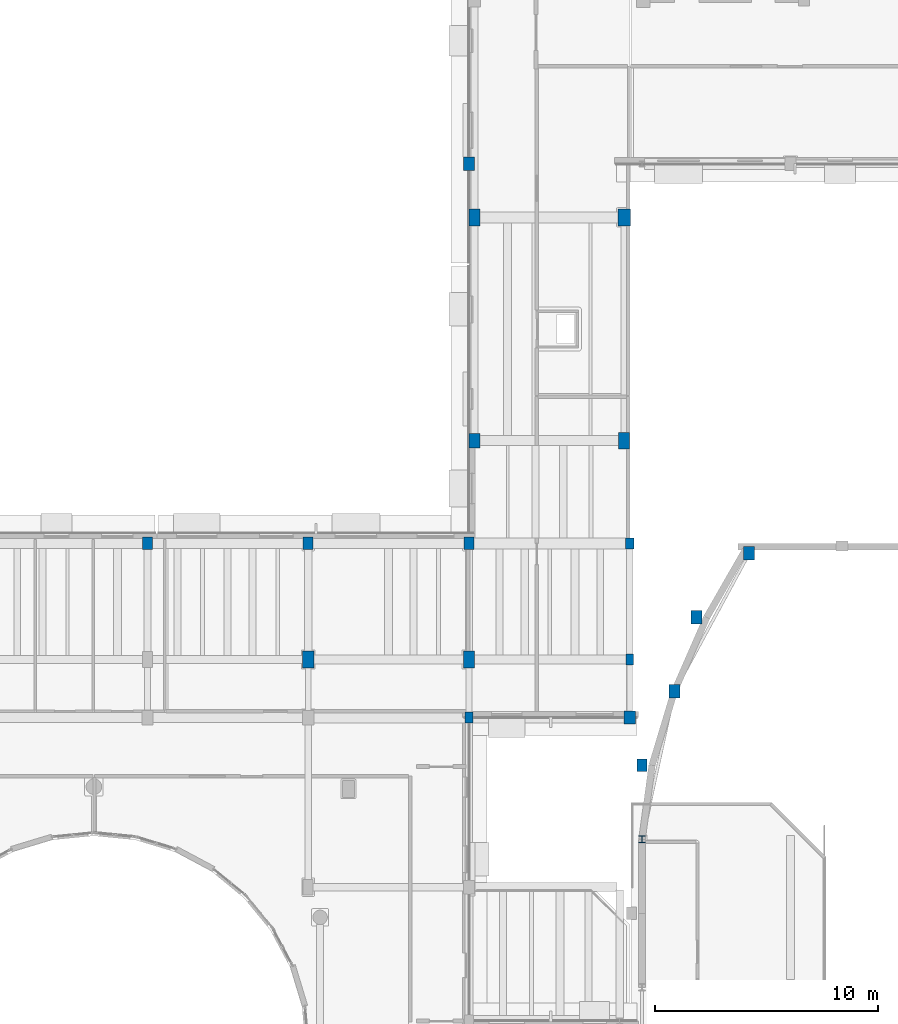
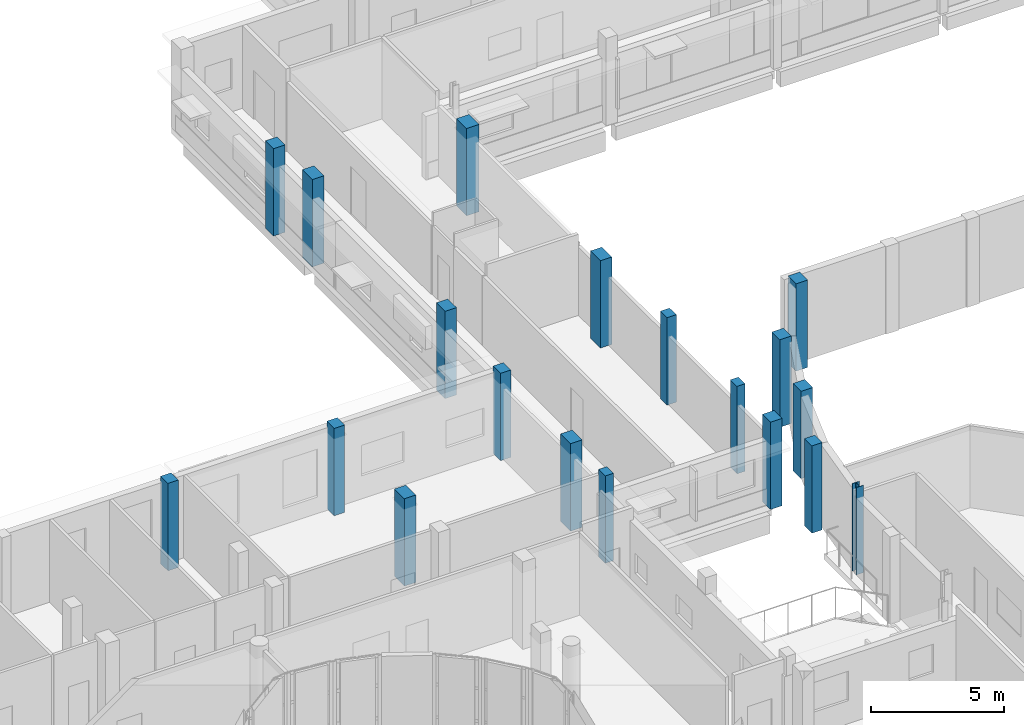
# One storey, part 11 of 92: 19 columns.
"""IFC4 building model written with IfcOpenShell, lengths in metres."""

from ifc_helpers import new_model, si_unit, direction, frame, origin, origin_2d, place, context, subcontext, project, spatial, rectangle, i_section, extrude, material, material_profile, profile_set, type_object, element, save


model = new_model("IFC4")

# Units and contexts
model_context = context("Model", 3, precision=1e-05, world=origin(), true_north=direction((0.0, 1.0)))
body_context = subcontext(model_context, "Body", "Model", "MODEL_VIEW")
ifc_project = project(units=[si_unit("LENGTHUNIT", "METRE"), si_unit("AREAUNIT", "SQUARE_METRE"), si_unit("VOLUMEUNIT", "CUBIC_METRE"), si_unit("PLANEANGLEUNIT", "RADIAN"), si_unit("MASSUNIT", "GRAM", prefix="KILO")], contexts=[model_context])

# Site, building, storey
site_placement = place(None, origin())
site = spatial("IfcSite", under=ifc_project, at=site_placement, CompositionType="ELEMENT")
building_placement = place(site_placement, origin())
building = spatial("IfcBuilding", under=site, at=building_placement, Name="Kelanivale Promenade Academy", CompositionType="ELEMENT")
storey_placement = place(building_placement, frame((0.0, 0.0, 8.199951171875)))
storey = spatial("IfcBuildingStorey", under=building, at=storey_placement, Name="L02", CompositionType="ELEMENT", Elevation=8.199951171875)

# Columns
ifc_material_1 = material(Name="Concrete C40/50", Category="concrete")
ifc_material_profile_1 = material_profile(ifc_material_1, rectangle(XDim=0.5, YDim=0.64990234375, at=origin_2d()), Name="RC-COL 500x650")
ifc_profile_set_1 = profile_set([ifc_material_profile_1], Name="Concrete C40/50")
column_type_1 = type_object("IfcColumnType", Name="C-11 RC-COL 500x650", PredefinedType="COLUMN", material=ifc_profile_set_1)
column_1_placement = place(storey_placement, frame((115.85009765625, 84.0, 0.0), z_axis=(0.0, 0.0, 1.0), x_axis=(1.0, 0.0, 0.0)))
element("IfcColumn", 1, at=column_1_placement, inside=storey, type_object=column_type_1, Name="Column C-11 at (115.8, 84.0) L02", PredefinedType="COLUMN", context=body_context, shape_type="SweptSolid", body=[
    extrude(rectangle(XDim=0.5, YDim=0.64990234375, at=origin_2d()), origin(), (0.0, 0.0, 1.0), 4.0),
])
ifc_material_profile_2 = material_profile(ifc_material_1, rectangle(XDim=0.5, YDim=0.75, at=origin_2d()), Name="RC-COL 500x750")
ifc_profile_set_2 = profile_set([ifc_material_profile_2], Name="Concrete C40/50")
column_type_2 = type_object("IfcColumnType", Name="C-12 RC-COL 500x750", PredefinedType="COLUMN", material=ifc_profile_set_2)
for number, where, z_axis, x_axis, name in (
    (2, (108.39990234375, 74.199951171875, 0.0), (0.0, 0.0, 1.0), (1.0, 0.0, 0.0), "Column C-12 at (108.4, 74.2) L02"),
    (3, (115.60009765625, 74.199951171875, 0.0), (0.0, 0.0, 1.0), (1.0, 0.0, 0.0), "Column C-12 at (115.6, 74.2) L02"),
    (4, (115.85009765625, 94.0, 0.0), (0.0, 0.0, 1.0), (1.0, 0.0, 0.0), "Column C-12 at (115.8, 94.0) L02"),
    (5, (122.550048828125, 84.0, 0.0), (0.0, 0.0, 1.0), (1.0, 0.0, 0.0), "Column C-12 at (122.5, 84.0) L02"),
):
    element("IfcColumn", number, at=place(storey_placement, frame(where, z_axis=z_axis, x_axis=x_axis)), inside=storey, type_object=column_type_2, Name=name, PredefinedType="COLUMN", context=body_context, shape_type="SweptSolid", body=[
        extrude(rectangle(XDim=0.5, YDim=0.75, at=origin_2d()), origin(), (0.0, 0.0, 1.0), 4.0),
    ])
ifc_material_profile_3 = material_profile(ifc_material_1, rectangle(XDim=0.550048828125, YDim=0.75, at=origin_2d()), Name="RC-COL 550x750")
ifc_profile_set_3 = profile_set([ifc_material_profile_3], Name="Concrete C40/50")
column_type_3 = type_object("IfcColumnType", Name="C-13 RC-COL 550x750", PredefinedType="COLUMN", material=ifc_profile_set_3)
column_2_placement = place(storey_placement, frame((122.550048828125, 94.0, 0.0), z_axis=(0.0, 0.0, 1.0), x_axis=(1.0, 0.0, 0.0)))
element("IfcColumn", 6, at=column_2_placement, inside=storey, type_object=column_type_3, Name="Column C-13 at (122.5, 94.0) L02", PredefinedType="COLUMN", context=body_context, shape_type="SweptSolid", body=[
    extrude(rectangle(XDim=0.550048828125, YDim=0.75, at=origin_2d()), origin(), (0.0, 0.0, 1.0), 4.0),
])
ifc_material_profile_4 = material_profile(ifc_material_1, rectangle(XDim=0.35009765625, YDim=0.5, at=origin_2d()), Name="RC-PIL 350x500")
ifc_profile_set_4 = profile_set([ifc_material_profile_4], Name="Concrete C40/50")
column_type_4 = type_object("IfcColumnType", Name="PL-15 RC-PIL 350x500", PredefinedType="PILASTER", material=ifc_profile_set_4)
for number, where, z_axis, x_axis, name in (
    (7, (115.60009765625, 71.60009765625, 0.0), (0.0, 0.0, 1.0), (1.0, 0.0, 0.0), "Column PL-15 at (115.6, 71.6) L02"),
    (8, (122.800048828125, 74.199951171875, 0.0), (0.0, 0.0, 1.0), (1.0, 0.0, 0.0), "Column PL-15 at (122.8, 74.2) L02"),
):
    element("IfcColumn", number, at=place(storey_placement, frame(where, z_axis=z_axis, x_axis=x_axis)), inside=storey, type_object=column_type_4, Name=name, PredefinedType="PILASTER", context=body_context, shape_type="SweptSolid", body=[
        extrude(rectangle(XDim=0.35009765625, YDim=0.5, at=origin_2d()), origin(), (0.0, 0.0, 1.0), 4.0),
    ])
ifc_material_profile_5 = material_profile(ifc_material_1, rectangle(XDim=0.39990234375, YDim=0.5, at=origin_2d()), Name="RC-PIL 400x500")
ifc_profile_set_5 = profile_set([ifc_material_profile_5], Name="Concrete C40/50")
column_type_5 = type_object("IfcColumnType", Name="PL-16 RC-PIL 400x500", PredefinedType="PILASTER", material=ifc_profile_set_5)
column_3_placement = place(storey_placement, frame((122.800048828125, 79.39990234375, 0.0), z_axis=(0.0, 0.0, 1.0), x_axis=(1.0, 0.0, 0.0)))
element("IfcColumn", 9, at=column_3_placement, inside=storey, type_object=column_type_5, Name="Column PL-16 at (122.8, 79.4) L02", PredefinedType="PILASTER", context=body_context, shape_type="SweptSolid", body=[
    extrude(rectangle(XDim=0.39990234375, YDim=0.5, at=origin_2d()), origin(), (0.0, 0.0, 1.0), 4.0),
])
ifc_material_profile_6 = material_profile(ifc_material_1, rectangle(XDim=0.449951171875, YDim=0.550048828125, at=origin_2d()), Name="RC-PIL 450x550")
ifc_profile_set_6 = profile_set([ifc_material_profile_6], Name="Concrete C40/50")
column_type_6 = type_object("IfcColumnType", Name="PL-17 RC-PIL 450x550", PredefinedType="PILASTER", material=ifc_profile_set_6)
for number, where, z_axis, x_axis, name in (
    (10, (101.199951171875, 79.39990234375, 0.0), (0.0, 0.0, 1.0), (1.0, 0.0, 0.0), "Column PL-17 at (101.2, 79.4) L02"),
    (11, (108.39990234375, 79.39990234375, 0.0), (0.0, 0.0, 1.0), (1.0, 0.0, 0.0), "Column PL-17 at (108.4, 79.4) L02"),
    (12, (115.60009765625, 79.39990234375, 0.0), (0.0, 0.0, 1.0), (1.0, 0.0, 0.0), "Column PL-17 at (115.6, 79.4) L02"),
    (13, (123.340087890625, 69.45703125, 0.0), (0.0, 0.0, 1.0), (1.0, 0.0, 0.0), "Column PL-17 at (123.3, 69.5) L02"),
):
    element("IfcColumn", number, at=place(storey_placement, frame(where, z_axis=z_axis, x_axis=x_axis)), inside=storey, type_object=column_type_6, Name=name, PredefinedType="PILASTER", context=body_context, shape_type="SweptSolid", body=[
        extrude(rectangle(XDim=0.449951171875, YDim=0.550048828125, at=origin_2d()), origin(), (0.0, 0.0, 1.0), 4.0),
    ])
ifc_material_profile_7 = material_profile(ifc_material_1, rectangle(XDim=0.5, YDim=0.60009765625, at=origin_2d()), Name="RC-PIL 500x600")
ifc_profile_set_7 = profile_set([ifc_material_profile_7], Name="Concrete C40/50")
column_type_7 = type_object("IfcColumnType", Name="PL-18 RC-PIL 500x600", PredefinedType="PILASTER", material=ifc_profile_set_7)
for number, where, z_axis, x_axis, name in (
    (14, (115.60009765625, 96.39990234375, 0.0), (0.0, 0.0, 1.0), (1.0, 0.0, 0.0), "Column PL-18 at (115.6, 96.4) L02"),
    (15, (122.800048828125, 71.60009765625, 0.0), (0.0, 0.0, 1.0), (1.0, 0.0, 0.0), "Column PL-18 at (122.8, 71.6) L02"),
    (16, (124.800048828125, 72.77099609375, 0.0), (0.0, 0.0, 1.0), (1.0, 0.0, 0.0), "Column PL-18 at (124.8, 72.8) L02"),
    (17, (125.7900390625, 76.0859375, 0.0), (0.0, 0.0, 1.0), (1.0, 0.0, 0.0), "Column PL-18 at (125.8, 76.1) L02"),
    (18, (128.14990234375, 78.949951171875, 0.0), (0.0, 0.0, 1.0), (1.0, 0.0, 0.0), "Column PL-18 at (128.2, 79.0) L02"),
):
    element("IfcColumn", number, at=place(storey_placement, frame(where, z_axis=z_axis, x_axis=x_axis)), inside=storey, type_object=column_type_7, Name=name, PredefinedType="PILASTER", context=body_context, shape_type="SweptSolid", body=[
        extrude(rectangle(XDim=0.5, YDim=0.60009765625, at=origin_2d()), origin(), (0.0, 0.0, 1.0), 4.0),
    ])
ifc_material_2 = material(Name="Steel S355", Category="steel")
ifc_material_profile_8 = material_profile(ifc_material_2, i_section(OverallWidth=0.307373046875, OverallDepth=0.314453125, WebThickness=0.011962890625, FlangeThickness=0.018798828125, FilletRadius=0.01513671875, at=origin_2d()), Name="UC 305x305x118")
ifc_profile_set_8 = profile_set([ifc_material_profile_8], Name="Steel S355")
column_type_8 = type_object("IfcColumnType", Name="SC-04 UC 305x305x118", PredefinedType="COLUMN", material=ifc_profile_set_8)
column_4_placement = place(storey_placement, frame((123.35009765625, 66.14306640625, 0.0), z_axis=(0.0, 0.0, 1.0), x_axis=(1.0, 0.0, 0.0)))
element("IfcColumn", 19, at=column_4_placement, inside=storey, type_object=column_type_8, Name="Column SC-04 at (123.3, 66.1) L02", PredefinedType="COLUMN", context=body_context, shape_type="SweptSolid", body=[
    extrude(i_section(OverallWidth=0.307373046875, OverallDepth=0.314453125, WebThickness=0.011962890625, FlangeThickness=0.018798828125, FilletRadius=0.01513671875, at=origin_2d()), origin(), (0.0, 0.0, 1.0), 4.0),
])

save(model, "model.ifc")
